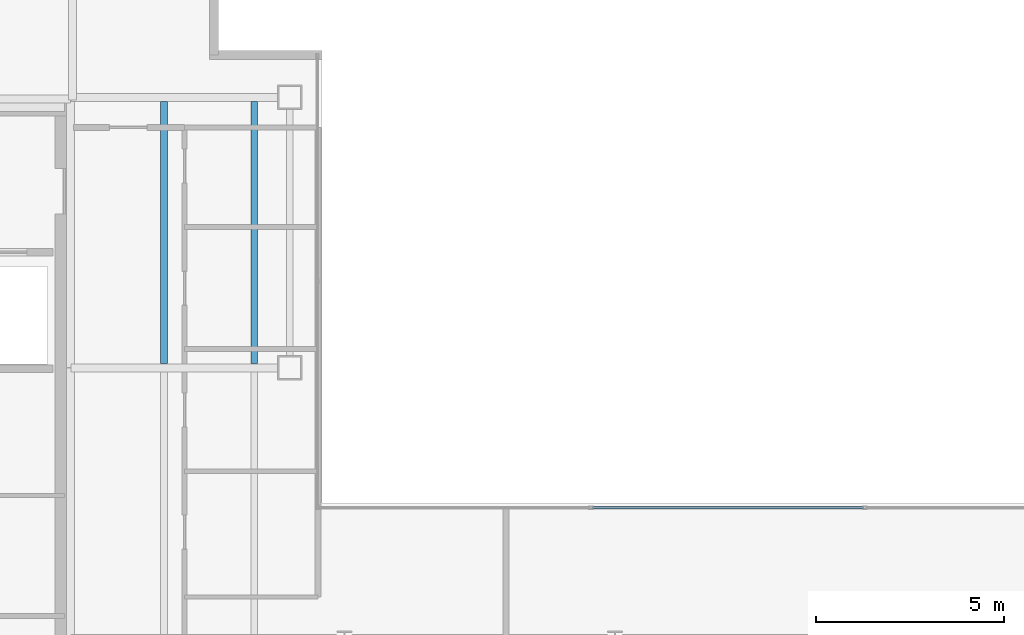
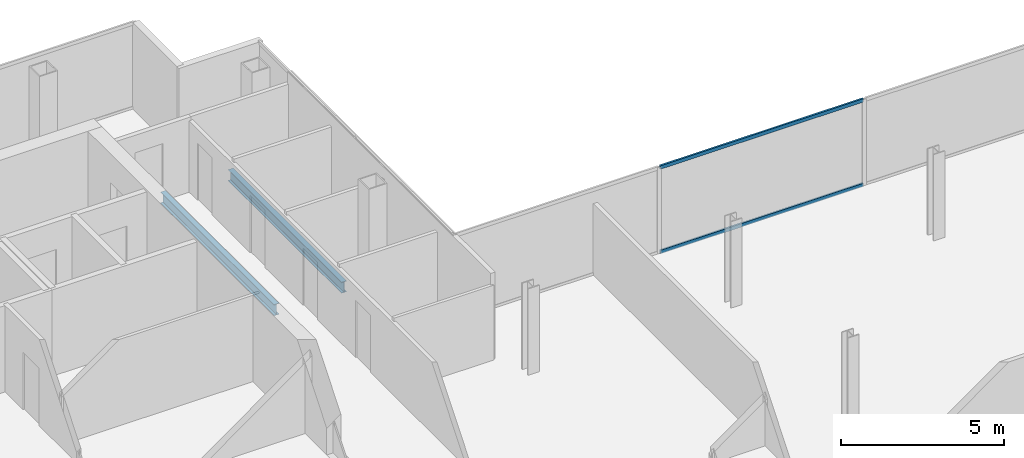
# One storey, part 10 of 24: 2 beams, 2 members, 1 element without a shape of its own.
"""IFC4 building model written with IfcOpenShell, lengths in metres."""

from ifc_helpers import new_model, si_unit, direction, frame, origin, origin_2d, place, context, subcontext, project, spatial, hollow_rectangle, i_section, extrude, material, material_profile, profile_set, type_object, element, aggregate, save


model = new_model("IFC4")

# Units and contexts
model_context = context("Model", 3, precision=1e-05, world=origin(), true_north=direction((0.0, 1.0)))
body_context = subcontext(model_context, "Body", "Model", "MODEL_VIEW")
ifc_project = project(units=[si_unit("LENGTHUNIT", "METRE"), si_unit("AREAUNIT", "SQUARE_METRE"), si_unit("VOLUMEUNIT", "CUBIC_METRE"), si_unit("PLANEANGLEUNIT", "RADIAN"), si_unit("MASSUNIT", "GRAM", prefix="KILO")], contexts=[model_context])

# Site, building, storey
site_placement = place(None, origin())
site = spatial("IfcSite", under=ifc_project, at=site_placement, CompositionType="ELEMENT")
building_placement = place(site_placement, origin())
building = spatial("IfcBuilding", under=site, at=building_placement, Name="Cobrela Telecom Tower", CompositionType="ELEMENT")
storey_placement = place(building_placement, frame((0.0, 0.0, 248.14990234375)))
storey = spatial("IfcBuildingStorey", under=building, at=storey_placement, Name="L64", CompositionType="ELEMENT", Elevation=248.14990234375)

# Beams
ifc_material_1 = material(Name="Steel ASTM A992 Grade 50", Category="steel")
ifc_material_profile_1 = material_profile(ifc_material_1, i_section(OverallWidth=0.179931640625, OverallDepth=0.4169921875, WebThickness=0.010986328125, FlangeThickness=0.01806640625, FilletRadius=0.011962890625, at=origin_2d()), Name="W16X57")
ifc_profile_set_1 = profile_set([ifc_material_profile_1], Name="Steel ASTM A992 Grade 50")
beam_type = type_object("IfcBeamType", Name="BM-JOIST-04", PredefinedType="JOIST", material=ifc_profile_set_1)
for number, where, z_axis, x_axis, name in (
    (1, (16.800048828125, 28.91162109375, -0.468505859375), (0.0, 1.0, 0.0), (-1.0, 0.0, 0.0), "L64 Secondary Composite Floor Beam J03"),
    (2, (19.199951171875, 28.91162109375, -0.468505859375), (0.0, 1.0, 0.0), (-1.0, 0.0, 0.0), "L64 Secondary Composite Floor Beam J06"),
):
    element("IfcBeam", number, at=place(storey_placement, frame(where, z_axis=z_axis, x_axis=x_axis)), inside=storey, type_object=beam_type, Name=name, PredefinedType="JOIST", context=body_context, shape_type="SweptSolid", body=[
        extrude(i_section(OverallWidth=0.179931640625, OverallDepth=0.4169921875, WebThickness=0.010986328125, FlangeThickness=0.01806640625, FilletRadius=0.011962890625, at=origin_2d()), origin(), (0.0, 0.0, 1.0), 6.976806640625),
    ])

# Curtain wall, members
ifc_material_2 = material(Name="Anodized Bronze Aluminium 6063-T6", Category="aluminium")
curtain_wall_type = type_object("IfcCurtainWallType", Name="CW-SYS-OFF-HI", PredefinedType="USERDEFINED", material=ifc_material_2)
curtain_wall_placement = place(storey_placement, origin())
curtain_wall = element("IfcCurtainWall", 3, at=curtain_wall_placement, inside=storey, type_object=curtain_wall_type, Name="L64 Unitised Bronze Curtain Wall 09", ObjectType="UNITISED CURTAIN WALL", PredefinedType="USERDEFINED")
ifc_material_profile_2 = material_profile(ifc_material_2, hollow_rectangle(XDim=0.06494140625, YDim=0.1298828125, WallThickness=0.00390625, at=origin_2d()), Name="ALU 65x130x4")
ifc_profile_set_2 = profile_set([ifc_material_profile_2], Name="Anodized Bronze Aluminium 6063-T6")
member_type = type_object("IfcMemberType", Name="CW-SYS-OFF-HI-TRN", PredefinedType="USERDEFINED", material=ifc_profile_set_2)
member_1_placement = place(storey_placement, frame((28.1982421875, 25.080078125, 0.03271484375), z_axis=(1.0, 0.0, 0.0), x_axis=(0.0, 1.0, 0.0)))
member_1 = element("IfcMember", 4, at=member_1_placement, type_object=member_type, Name="CW-OFF-HI transom 2.1", ObjectType="TRANSOM", PredefinedType="USERDEFINED", context=body_context, shape_type="SweptSolid", body=[
    extrude(hollow_rectangle(XDim=0.06494140625, YDim=0.1298828125, WallThickness=0.00390625, at=origin_2d()), origin(), (0.0, 0.0, 1.0), 7.21337890625),
])
member_2_placement = place(storey_placement, frame((28.1982421875, 25.080078125, 3.20751953125), z_axis=(1.0, 0.0, 0.0), x_axis=(0.0, 1.0, 0.0)))
member_2 = element("IfcMember", 5, at=member_2_placement, type_object=member_type, Name="CW-OFF-HI transom 2.2", ObjectType="TRANSOM", PredefinedType="USERDEFINED", context=body_context, shape_type="SweptSolid", body=[
    extrude(hollow_rectangle(XDim=0.06494140625, YDim=0.1298828125, WallThickness=0.00390625, at=origin_2d()), origin(), (0.0, 0.0, 1.0), 7.21337890625),
])
aggregate(curtain_wall, [member_1, member_2])

save(model, "model.ifc")
